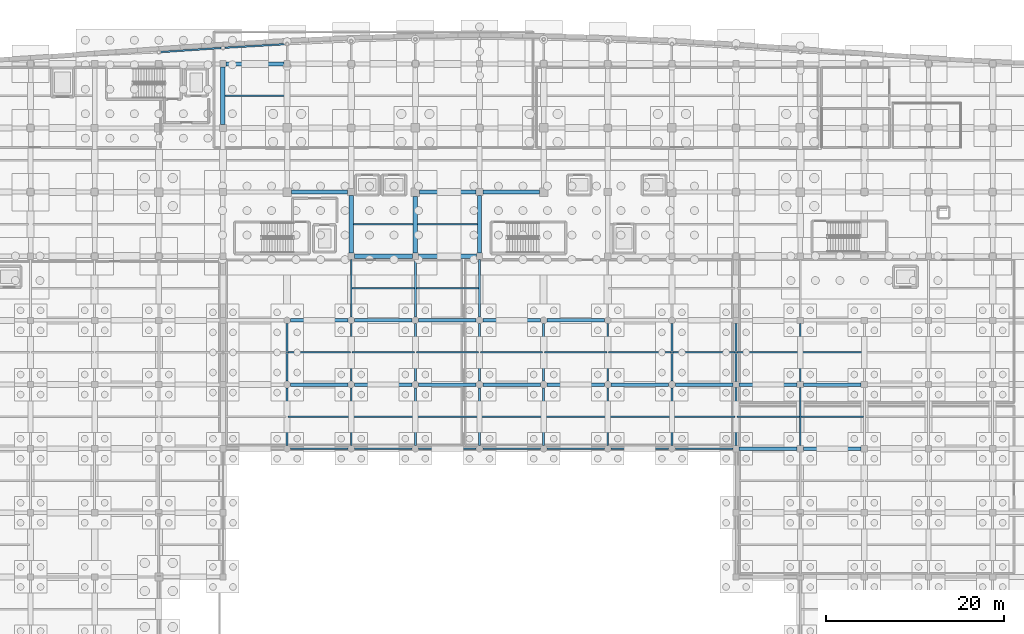
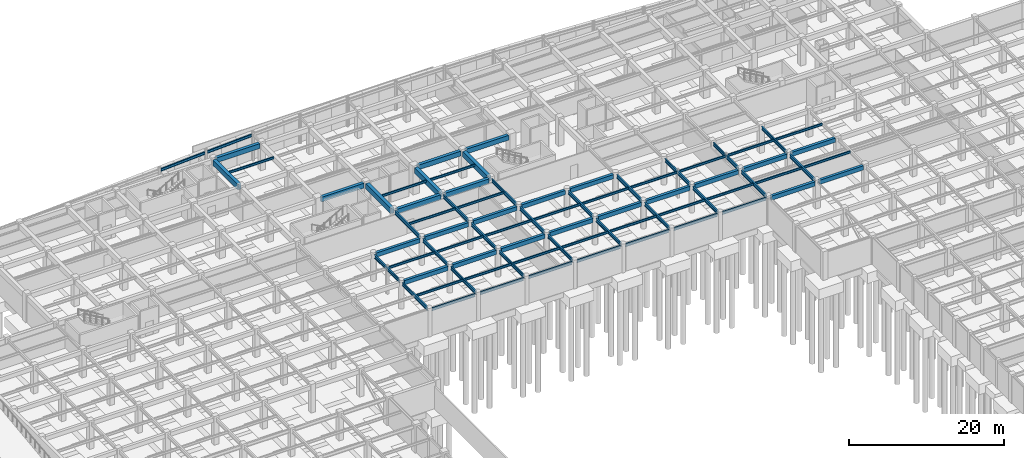
# One storey, part 27 of 48: 79 beams.
"""IFC4 building model written with IfcOpenShell, lengths in metres."""

from ifc_helpers import new_model, si_unit, direction, frame, origin, origin_2d, place, context, subcontext, project, spatial, rectangle, i_section, extrude, material, material_profile, profile_set, type_object, element, save


model = new_model("IFC4")

# Units and contexts
model_context = context("Model", 3, precision=1e-05, world=origin(), true_north=direction((0.0, 1.0)))
body_context = subcontext(model_context, "Body", "Model", "MODEL_VIEW")
ifc_project = project(units=[si_unit("LENGTHUNIT", "METRE"), si_unit("AREAUNIT", "SQUARE_METRE"), si_unit("VOLUMEUNIT", "CUBIC_METRE"), si_unit("PLANEANGLEUNIT", "RADIAN"), si_unit("MASSUNIT", "GRAM", prefix="KILO")], contexts=[model_context])

# Site, building, storey
site_placement = place(None, origin())
site = spatial("IfcSite", under=ifc_project, at=site_placement, CompositionType="ELEMENT")
building_placement = place(site_placement, origin())
building = spatial("IfcBuilding", under=site, at=building_placement, Name="Carrowvane Square Congress Hotel", CompositionType="ELEMENT")
storey_placement = place(building_placement, frame((0.0, 0.0, -4.5)))
storey = spatial("IfcBuildingStorey", under=building, at=storey_placement, Name="B01", CompositionType="ELEMENT", Elevation=-4.5)

# Beams
ifc_material_1 = material(Name="Concrete C35/45", Category="concrete")
ifc_material_profile_1 = material_profile(ifc_material_1, rectangle(XDim=0.39990234375, YDim=0.64990234375, at=origin_2d()), Name="RC 400x650")
ifc_profile_set_1 = profile_set([ifc_material_profile_1], Name="Concrete C35/45")
beam_type_1 = type_object("IfcBeamType", Name="BM-RC-400x650", PredefinedType="BEAM", material=ifc_profile_set_1)
for number, where, z_axis, x_axis, name in (
    (1, (127.14990234375, 70.199951171875, 3.875), (1.0, 0.0, 0.0), (0.0, 1.0, 0.0), "L00 girder K/17-18"),
    (2, (134.35009765625, 70.199951171875, 3.875), (1.0, 0.0, 0.0), (0.0, 1.0, 0.0), "L00 girder K/18-19"),
):
    element("IfcBeam", number, at=place(storey_placement, frame(where, z_axis=z_axis, x_axis=x_axis)), inside=storey, type_object=beam_type_1, Name=name, PredefinedType="BEAM", context=body_context, shape_type="SweptSolid", body=[
        extrude(rectangle(XDim=0.39990234375, YDim=0.64990234375, at=origin_2d()), origin(), (0.0, 0.0, 1.0), 6.5),
    ])
beam_1_placement = place(storey_placement, frame((76.77490234375, 77.39990234375, 3.875), z_axis=(1.0, 0.0, 0.0), x_axis=(0.0, 1.0, 0.0)))
element("IfcBeam", 3, at=beam_1_placement, inside=storey, type_object=beam_type_1, Name="L00 girder L/10-11", PredefinedType="BEAM", context=body_context, shape_type="SweptSolid", body=[
    extrude(rectangle(XDim=0.39990234375, YDim=0.64990234375, at=origin_2d()), origin(), (0.0, 0.0, 1.0), 6.4501953125),
])
for number, where, z_axis, x_axis, name in (
    (4, (83.97509765625, 77.39990234375, 3.875), (1.0, 0.0, 0.0), (0.0, 1.0, 0.0), "L00 girder L/11-12"),
    (5, (91.175048828125, 77.39990234375, 3.875), (1.0, 0.0, 0.0), (0.0, 1.0, 0.0), "L00 girder L/12-13"),
    (6, (98.375, 77.39990234375, 3.875), (1.0, 0.0, 0.0), (0.0, 1.0, 0.0), "L00 girder L/13-14"),
    (7, (105.574951171875, 77.39990234375, 3.875), (1.0, 0.0, 0.0), (0.0, 1.0, 0.0), "L00 girder L/14-15"),
):
    element("IfcBeam", number, at=place(storey_placement, frame(where, z_axis=z_axis, x_axis=x_axis)), inside=storey, type_object=beam_type_1, Name=name, PredefinedType="BEAM", context=body_context, shape_type="SweptSolid", body=[
        extrude(rectangle(XDim=0.39990234375, YDim=0.64990234375, at=origin_2d()), origin(), (0.0, 0.0, 1.0), 6.449951171875),
    ])
beam_2_placement = place(storey_placement, frame((112.77490234375, 77.39990234375, 3.875), z_axis=(1.0, 0.0, 0.0), x_axis=(0.0, 1.0, 0.0)))
element("IfcBeam", 8, at=beam_2_placement, inside=storey, type_object=beam_type_1, Name="L00 girder L/15-16", PredefinedType="BEAM", context=body_context, shape_type="SweptSolid", body=[
    extrude(rectangle(XDim=0.39990234375, YDim=0.64990234375, at=origin_2d()), origin(), (0.0, 0.0, 1.0), 6.4501953125),
])
beam_3_placement = place(storey_placement, frame((119.97509765625, 77.39990234375, 3.875), z_axis=(1.0, 0.0, 0.0), x_axis=(0.0, 1.0, 0.0)))
element("IfcBeam", 9, at=beam_3_placement, inside=storey, type_object=beam_type_1, Name="L00 girder L/16-17", PredefinedType="BEAM", context=body_context, shape_type="SweptSolid", body=[
    extrude(rectangle(XDim=0.39990234375, YDim=0.64990234375, at=origin_2d()), origin(), (0.0, 0.0, 1.0), 6.474853515625),
])
for number, where, z_axis, x_axis, name in (
    (10, (127.14990234375, 77.39990234375, 3.875), (1.0, 0.0, 0.0), (0.0, 1.0, 0.0), "L00 girder L/17-18"),
    (11, (134.35009765625, 77.39990234375, 3.875), (1.0, 0.0, 0.0), (0.0, 1.0, 0.0), "L00 girder L/18-19"),
):
    element("IfcBeam", number, at=place(storey_placement, frame(where, z_axis=z_axis, x_axis=x_axis)), inside=storey, type_object=beam_type_1, Name=name, PredefinedType="BEAM", context=body_context, shape_type="SweptSolid", body=[
        extrude(rectangle(XDim=0.39990234375, YDim=0.64990234375, at=origin_2d()), origin(), (0.0, 0.0, 1.0), 6.5),
    ])
beam_4_placement = place(storey_placement, frame((76.77490234375, 84.60009765625, 3.875), z_axis=(1.0, 0.0, 0.0), x_axis=(0.0, 1.0, 0.0)))
element("IfcBeam", 12, at=beam_4_placement, inside=storey, type_object=beam_type_1, Name="L00 girder M/10-11", PredefinedType="BEAM", context=body_context, shape_type="SweptSolid", body=[
    extrude(rectangle(XDim=0.39990234375, YDim=0.64990234375, at=origin_2d()), origin(), (0.0, 0.0, 1.0), 6.4501953125),
])
for number, where, z_axis, x_axis, name in (
    (13, (83.97509765625, 84.60009765625, 3.875), (1.0, 0.0, 0.0), (0.0, 1.0, 0.0), "L00 girder M/11-12"),
    (14, (91.175048828125, 84.60009765625, 3.875), (1.0, 0.0, 0.0), (0.0, 1.0, 0.0), "L00 girder M/12-13"),
    (15, (98.375, 84.60009765625, 3.875), (1.0, 0.0, 0.0), (0.0, 1.0, 0.0), "L00 girder M/13-14"),
    (16, (105.574951171875, 84.60009765625, 3.875), (1.0, 0.0, 0.0), (0.0, 1.0, 0.0), "L00 girder M/14-15"),
):
    element("IfcBeam", number, at=place(storey_placement, frame(where, z_axis=z_axis, x_axis=x_axis)), inside=storey, type_object=beam_type_1, Name=name, PredefinedType="BEAM", context=body_context, shape_type="SweptSolid", body=[
        extrude(rectangle(XDim=0.39990234375, YDim=0.64990234375, at=origin_2d()), origin(), (0.0, 0.0, 1.0), 6.449951171875),
    ])
ifc_material_2 = material(Name="Concrete C35/45", Category="concrete")
ifc_material_profile_2 = material_profile(ifc_material_2, rectangle(XDim=0.449951171875, YDim=0.75, at=origin_2d()), Name="RC 450x750")
ifc_profile_set_2 = profile_set([ifc_material_profile_2], Name="Concrete C35/45")
beam_type_2 = type_object("IfcBeamType", Name="BM-RC-450x750", PredefinedType="USERDEFINED", material=ifc_profile_set_2)
for number, where, z_axis, x_axis, name in (
    (17, (83.949951171875, 91.800048828125, 3.824951171875), (1.0, 0.0, 0.0), (0.0, 1.0, 0.0), "L00 girder N/11-12"),
    (18, (91.14990234375, 91.800048828125, 3.824951171875), (1.0, 0.0, 0.0), (0.0, 1.0, 0.0), "L00 girder N/12-13"),
):
    element("IfcBeam", number, at=place(storey_placement, frame(where, z_axis=z_axis, x_axis=x_axis)), inside=storey, type_object=beam_type_2, Name=name, ObjectType="GIRDER", PredefinedType="USERDEFINED", context=body_context, shape_type="SweptSolid", body=[
        extrude(rectangle(XDim=0.449951171875, YDim=0.75, at=origin_2d()), origin(), (0.0, 0.0, 1.0), 6.5),
    ])
beam_5_placement = place(storey_placement, frame((76.875, 99.0, 3.824951171875), z_axis=(1.0, 0.0, 0.0), x_axis=(0.0, 1.0, 0.0)))
element("IfcBeam", 19, at=beam_5_placement, inside=storey, type_object=beam_type_2, Name="L00 girder P/10-11", ObjectType="GIRDER", PredefinedType="USERDEFINED", context=body_context, shape_type="SweptSolid", body=[
    extrude(rectangle(XDim=0.449951171875, YDim=0.75, at=origin_2d()), origin(), (0.0, 0.0, 1.0), 6.324951171875),
])
for number, where, z_axis, x_axis, name in (
    (20, (91.27490234375, 99.0, 3.824951171875), (1.0, 0.0, 0.0), (0.0, 1.0, 0.0), "L00 girder P/12-13"),
    (21, (98.39990234375, 99.0, 3.824951171875), (1.0, 0.0, 0.0), (0.0, 1.0, 0.0), "L00 girder P/13-14"),
):
    element("IfcBeam", number, at=place(storey_placement, frame(where, z_axis=z_axis, x_axis=x_axis)), inside=storey, type_object=beam_type_2, Name=name, ObjectType="GIRDER", PredefinedType="USERDEFINED", context=body_context, shape_type="SweptSolid", body=[
        extrude(rectangle(XDim=0.449951171875, YDim=0.75, at=origin_2d()), origin(), (0.0, 0.0, 1.0), 6.3251953125),
    ])
beam_6_placement = place(storey_placement, frame((69.550048828125, 113.39990234375, 3.824951171875), z_axis=(1.0, 0.0, 0.0), x_axis=(0.0, 1.0, 0.0)))
element("IfcBeam", 22, at=beam_6_placement, inside=storey, type_object=beam_type_2, Name="L00 girder R/9-10", ObjectType="GIRDER", PredefinedType="USERDEFINED", context=body_context, shape_type="SweptSolid", body=[
    extrude(rectangle(XDim=0.449951171875, YDim=0.75, at=origin_2d()), origin(), (0.0, 0.0, 1.0), 6.5),
])
ifc_material_3 = material(Name="Concrete C35/45", Category="concrete")
ifc_material_profile_3 = material_profile(ifc_material_3, rectangle(XDim=0.5, YDim=0.85009765625, at=origin_2d()), Name="RC 500x850")
ifc_profile_set_3 = profile_set([ifc_material_profile_3], Name="Concrete C35/45")
beam_type_3 = type_object("IfcBeamType", Name="BM-RC-500x850", PredefinedType="USERDEFINED", material=ifc_profile_set_3)
beam_7_placement = place(storey_placement, frame((69.199951171875, 106.60009765625, 3.77490234375), z_axis=(0.0, 1.0, 0.0), x_axis=(-1.0, 0.0, 0.0)))
element("IfcBeam", 23, at=beam_7_placement, inside=storey, type_object=beam_type_3, Name="L00 girder 9/Q-R", ObjectType="GIRDER", PredefinedType="USERDEFINED", context=body_context, shape_type="SweptSolid", body=[
    extrude(rectangle(XDim=0.5, YDim=0.85009765625, at=origin_2d()), origin(), (0.0, 0.0, 1.0), 6.449951171875),
])
beam_8_placement = place(storey_placement, frame((83.60009765625, 92.14990234375, 3.77490234375), z_axis=(0.0, 1.0, 0.0), x_axis=(-1.0, 0.0, 0.0)))
element("IfcBeam", 24, at=beam_8_placement, inside=storey, type_object=beam_type_3, Name="L00 girder 11/N-P", ObjectType="GIRDER", PredefinedType="USERDEFINED", context=body_context, shape_type="SweptSolid", body=[
    extrude(rectangle(XDim=0.5, YDim=0.85009765625, at=origin_2d()), origin(), (0.0, 0.0, 1.0), 6.4501953125),
])
beam_9_placement = place(storey_placement, frame((90.800048828125, 92.14990234375, 3.77490234375), z_axis=(0.0, 1.0, 0.0), x_axis=(-1.0, 0.0, 0.0)))
element("IfcBeam", 25, at=beam_9_placement, inside=storey, type_object=beam_type_3, Name="L00 girder 12/N-P", ObjectType="GIRDER", PredefinedType="USERDEFINED", context=body_context, shape_type="SweptSolid", body=[
    extrude(rectangle(XDim=0.5, YDim=0.85009765625, at=origin_2d()), origin(), (0.0, 0.0, 1.0), 6.375),
])
beam_10_placement = place(storey_placement, frame((98.0, 92.14990234375, 3.77490234375), z_axis=(0.0, 1.0, 0.0), x_axis=(-1.0, 0.0, 0.0)))
element("IfcBeam", 26, at=beam_10_placement, inside=storey, type_object=beam_type_3, Name="L00 girder 13/N-P", ObjectType="GIRDER", PredefinedType="USERDEFINED", context=body_context, shape_type="SweptSolid", body=[
    extrude(rectangle(XDim=0.5, YDim=0.85009765625, at=origin_2d()), origin(), (0.0, 0.0, 1.0), 6.4501953125),
])
ifc_material_4 = material(Name="Steel S355", Category="steel")
ifc_material_profile_4 = material_profile(ifc_material_4, i_section(OverallWidth=0.172119140625, OverallDepth=0.35791015625, WebThickness=0.008056640625, FlangeThickness=0.012939453125, FilletRadius=0.01025390625, at=origin_2d()), Name="UKB 356x171x57")
ifc_profile_set_4 = profile_set([ifc_material_profile_4], Name="Steel S355")
beam_type_4 = type_object("IfcBeamType", Name="BM-ST-UKB356", PredefinedType="JOIST", material=ifc_profile_set_4)
beam_11_placement = place(storey_placement, frame((69.449951171875, 109.800048828125, 4.02099609375), z_axis=(1.0, 0.0, 0.0), x_axis=(0.0, 1.0, 0.0)))
element("IfcBeam", 27, at=beam_11_placement, inside=storey, type_object=beam_type_4, Name="L00 secondary joist 9-10", PredefinedType="JOIST", context=body_context, shape_type="SweptSolid", body=[
    extrude(i_section(OverallWidth=0.172119140625, OverallDepth=0.35791015625, WebThickness=0.008056640625, FlangeThickness=0.012939453125, FilletRadius=0.01025390625, at=origin_2d()), origin(), (0.0, 0.0, 1.0), 6.699951171875),
])
for number, where, z_axis, x_axis, name in (
    (28, (76.5048828125, 73.800048828125, 4.02099609375), (1.0, 0.0, 0.0), (0.0, 1.0, 0.0), "L00 secondary joist 10-11"),
    (29, (76.5048828125, 81.0, 4.02099609375), (1.0, 0.0, 0.0), (0.0, 1.0, 0.0), "L00 secondary joist 10-11"),
):
    element("IfcBeam", number, at=place(storey_placement, frame(where, z_axis=z_axis, x_axis=x_axis)), inside=storey, type_object=beam_type_4, Name=name, PredefinedType="JOIST", context=body_context, shape_type="SweptSolid", body=[
        extrude(i_section(OverallWidth=0.172119140625, OverallDepth=0.35791015625, WebThickness=0.008056640625, FlangeThickness=0.012939453125, FilletRadius=0.01025390625, at=origin_2d()), origin(), (0.0, 0.0, 1.0), 6.990234375),
    ])
for number, where, z_axis, x_axis, name in (
    (30, (83.705078125, 73.800048828125, 4.02099609375), (1.0, 0.0, 0.0), (0.0, 1.0, 0.0), "L00 secondary joist 11-12"),
    (31, (83.705078125, 81.0, 4.02099609375), (1.0, 0.0, 0.0), (0.0, 1.0, 0.0), "L00 secondary joist 11-12"),
    (32, (83.705078125, 88.199951171875, 4.02099609375), (1.0, 0.0, 0.0), (0.0, 1.0, 0.0), "L00 secondary joist 11-12"),
):
    element("IfcBeam", number, at=place(storey_placement, frame(where, z_axis=z_axis, x_axis=x_axis)), inside=storey, type_object=beam_type_4, Name=name, PredefinedType="JOIST", context=body_context, shape_type="SweptSolid", body=[
        extrude(i_section(OverallWidth=0.172119140625, OverallDepth=0.35791015625, WebThickness=0.008056640625, FlangeThickness=0.012939453125, FilletRadius=0.01025390625, at=origin_2d()), origin(), (0.0, 0.0, 1.0), 6.989990234375),
    ])
beam_12_placement = place(storey_placement, frame((83.85009765625, 95.39990234375, 4.02099609375), z_axis=(1.0, 0.0, 0.0), x_axis=(0.0, 1.0, 0.0)))
element("IfcBeam", 33, at=beam_12_placement, inside=storey, type_object=beam_type_4, Name="L00 secondary joist 11-12", PredefinedType="JOIST", context=body_context, shape_type="SweptSolid", body=[
    extrude(i_section(OverallWidth=0.172119140625, OverallDepth=0.35791015625, WebThickness=0.008056640625, FlangeThickness=0.012939453125, FilletRadius=0.01025390625, at=origin_2d()), origin(), (0.0, 0.0, 1.0), 6.699951171875),
])
for number, where, z_axis, x_axis, name in (
    (34, (90.905029296875, 73.800048828125, 4.02099609375), (1.0, 0.0, 0.0), (0.0, 1.0, 0.0), "L00 secondary joist 12-13"),
    (35, (90.905029296875, 81.0, 4.02099609375), (1.0, 0.0, 0.0), (0.0, 1.0, 0.0), "L00 secondary joist 12-13"),
    (36, (90.905029296875, 88.199951171875, 4.02099609375), (1.0, 0.0, 0.0), (0.0, 1.0, 0.0), "L00 secondary joist 12-13"),
):
    element("IfcBeam", number, at=place(storey_placement, frame(where, z_axis=z_axis, x_axis=x_axis)), inside=storey, type_object=beam_type_4, Name=name, PredefinedType="JOIST", context=body_context, shape_type="SweptSolid", body=[
        extrude(i_section(OverallWidth=0.172119140625, OverallDepth=0.35791015625, WebThickness=0.008056640625, FlangeThickness=0.012939453125, FilletRadius=0.01025390625, at=origin_2d()), origin(), (0.0, 0.0, 1.0), 6.989990234375),
    ])
beam_13_placement = place(storey_placement, frame((91.050048828125, 95.39990234375, 4.02099609375), z_axis=(1.0, 0.0, 0.0), x_axis=(0.0, 1.0, 0.0)))
element("IfcBeam", 37, at=beam_13_placement, inside=storey, type_object=beam_type_4, Name="L00 secondary joist 12-13", PredefinedType="JOIST", context=body_context, shape_type="SweptSolid", body=[
    extrude(i_section(OverallWidth=0.172119140625, OverallDepth=0.35791015625, WebThickness=0.008056640625, FlangeThickness=0.012939453125, FilletRadius=0.01025390625, at=origin_2d()), origin(), (0.0, 0.0, 1.0), 6.699951171875),
])
for number, where, z_axis, x_axis, name in (
    (38, (98.10498046875, 73.800048828125, 4.02099609375), (1.0, 0.0, 0.0), (0.0, 1.0, 0.0), "L00 secondary joist 13-14"),
    (39, (98.10498046875, 81.0, 4.02099609375), (1.0, 0.0, 0.0), (0.0, 1.0, 0.0), "L00 secondary joist 13-14"),
    (40, (105.304931640625, 73.800048828125, 4.02099609375), (1.0, 0.0, 0.0), (0.0, 1.0, 0.0), "L00 secondary joist 14-15"),
    (41, (105.304931640625, 81.0, 4.02099609375), (1.0, 0.0, 0.0), (0.0, 1.0, 0.0), "L00 secondary joist 14-15"),
):
    element("IfcBeam", number, at=place(storey_placement, frame(where, z_axis=z_axis, x_axis=x_axis)), inside=storey, type_object=beam_type_4, Name=name, PredefinedType="JOIST", context=body_context, shape_type="SweptSolid", body=[
        extrude(i_section(OverallWidth=0.172119140625, OverallDepth=0.35791015625, WebThickness=0.008056640625, FlangeThickness=0.012939453125, FilletRadius=0.01025390625, at=origin_2d()), origin(), (0.0, 0.0, 1.0), 6.989990234375),
    ])
for number, where, z_axis, x_axis, name in (
    (42, (112.5048828125, 73.800048828125, 4.02099609375), (1.0, 0.0, 0.0), (0.0, 1.0, 0.0), "L00 secondary joist 15-16"),
    (43, (112.5048828125, 81.0, 4.02099609375), (1.0, 0.0, 0.0), (0.0, 1.0, 0.0), "L00 secondary joist 15-16"),
):
    element("IfcBeam", number, at=place(storey_placement, frame(where, z_axis=z_axis, x_axis=x_axis)), inside=storey, type_object=beam_type_4, Name=name, PredefinedType="JOIST", context=body_context, shape_type="SweptSolid", body=[
        extrude(i_section(OverallWidth=0.172119140625, OverallDepth=0.35791015625, WebThickness=0.008056640625, FlangeThickness=0.012939453125, FilletRadius=0.01025390625, at=origin_2d()), origin(), (0.0, 0.0, 1.0), 6.990234375),
    ])
for number, where, z_axis, x_axis, name in (
    (44, (119.705078125, 73.800048828125, 4.02099609375), (1.0, 0.0, 0.0), (0.0, 1.0, 0.0), "L00 secondary joist 16-17"),
    (45, (119.705078125, 81.0, 4.02099609375), (1.0, 0.0, 0.0), (0.0, 1.0, 0.0), "L00 secondary joist 16-17"),
    (46, (126.905029296875, 73.800048828125, 4.02099609375), (1.0, 0.0, 0.0), (0.0, 1.0, 0.0), "L00 secondary joist 17-18"),
    (47, (126.905029296875, 81.0, 4.02099609375), (1.0, 0.0, 0.0), (0.0, 1.0, 0.0), "L00 secondary joist 17-18"),
    (48, (134.10498046875, 73.800048828125, 4.02099609375), (1.0, 0.0, 0.0), (0.0, 1.0, 0.0), "L00 secondary joist 18-19"),
    (49, (134.10498046875, 81.0, 4.02099609375), (1.0, 0.0, 0.0), (0.0, 1.0, 0.0), "L00 secondary joist 18-19"),
):
    element("IfcBeam", number, at=place(storey_placement, frame(where, z_axis=z_axis, x_axis=x_axis)), inside=storey, type_object=beam_type_4, Name=name, PredefinedType="JOIST", context=body_context, shape_type="SweptSolid", body=[
        extrude(i_section(OverallWidth=0.172119140625, OverallDepth=0.35791015625, WebThickness=0.008056640625, FlangeThickness=0.012939453125, FilletRadius=0.01025390625, at=origin_2d()), origin(), (0.0, 0.0, 1.0), 6.989990234375),
    ])
ifc_material_5 = material(Name="Steel S355", Category="steel")
ifc_material_profile_5 = material_profile(ifc_material_5, i_section(OverallWidth=0.1787109375, OverallDepth=0.409423828125, WebThickness=0.0087890625, FlangeThickness=0.014404296875, FilletRadius=0.01025390625, at=origin_2d()), Name="UKB 406x178x67")
ifc_profile_set_5 = profile_set([ifc_material_profile_5], Name="Steel S355")
beam_type_5 = type_object("IfcBeamType", Name="BM-ST-UKB406", PredefinedType="BEAM", material=ifc_profile_set_5)
beam_14_placement = place(storey_placement, frame((62.20263671875, 114.7197265625, 3.995361328125), z_axis=(0.997706912919, 0.067682463857, 0.0), x_axis=(-0.067682463857, 0.997706912919, 0.0)))
element("IfcBeam", 50, at=beam_14_placement, inside=storey, type_object=beam_type_5, Name="L00 curved north spandrel", PredefinedType="BEAM", context=body_context, shape_type="SweptSolid", body=[
    extrude(i_section(OverallWidth=0.1787109375, OverallDepth=0.409423828125, WebThickness=0.0087890625, FlangeThickness=0.014404296875, FilletRadius=0.01025390625, at=origin_2d()), origin(), (0.0, 0.0, 1.0), 6.810302734375),
])
beam_15_placement = place(storey_placement, frame((69.40283203125, 115.206298828125, 3.995361328125), z_axis=(0.998276598904, 0.058684172325, 0.0), x_axis=(-0.058684172325, 0.998276598904, 0.0)))
element("IfcBeam", 51, at=beam_15_placement, inside=storey, type_object=beam_type_5, Name="L00 curved north spandrel", PredefinedType="BEAM", context=body_context, shape_type="SweptSolid", body=[
    extrude(i_section(OverallWidth=0.1787109375, OverallDepth=0.409423828125, WebThickness=0.0087890625, FlangeThickness=0.014404296875, FilletRadius=0.01025390625, at=origin_2d()), origin(), (0.0, 0.0, 1.0), 6.80615234375),
])
ifc_material_6 = material(Name="Steel S355", Category="steel")
ifc_material_profile_6 = material_profile(ifc_material_6, i_section(OverallWidth=0.19140625, OverallDepth=0.4599609375, WebThickness=0.010009765625, FlangeThickness=0.01611328125, FilletRadius=0.01025390625, at=origin_2d()), Name="UKB 457x191x82")
ifc_profile_set_6 = profile_set([ifc_material_profile_6], Name="Steel S355")
beam_type_6 = type_object("IfcBeamType", Name="BM-ST-UKB457", PredefinedType="SPANDREL", material=ifc_profile_set_6)
beam_16_placement = place(storey_placement, frame((76.77490234375, 70.199951171875, 3.969970703125), z_axis=(1.0, 0.0, 0.0), x_axis=(0.0, 1.0, 0.0)))
element("IfcBeam", 52, at=beam_16_placement, inside=storey, type_object=beam_type_6, Name="L00 girder K/10-11", PredefinedType="SPANDREL", context=body_context, shape_type="SweptSolid", body=[
    extrude(i_section(OverallWidth=0.19140625, OverallDepth=0.4599609375, WebThickness=0.010009765625, FlangeThickness=0.01611328125, FilletRadius=0.01025390625, at=origin_2d()), origin(), (0.0, 0.0, 1.0), 6.4501953125),
])
for number, where, z_axis, x_axis, name in (
    (53, (83.97509765625, 70.199951171875, 3.969970703125), (1.0, 0.0, 0.0), (0.0, 1.0, 0.0), "L00 girder K/11-12"),
    (54, (91.175048828125, 70.199951171875, 3.969970703125), (1.0, 0.0, 0.0), (0.0, 1.0, 0.0), "L00 girder K/12-13"),
    (55, (98.375, 70.199951171875, 3.969970703125), (1.0, 0.0, 0.0), (0.0, 1.0, 0.0), "L00 girder K/13-14"),
    (56, (105.574951171875, 70.199951171875, 3.969970703125), (1.0, 0.0, 0.0), (0.0, 1.0, 0.0), "L00 girder K/14-15"),
):
    element("IfcBeam", number, at=place(storey_placement, frame(where, z_axis=z_axis, x_axis=x_axis)), inside=storey, type_object=beam_type_6, Name=name, PredefinedType="SPANDREL", context=body_context, shape_type="SweptSolid", body=[
        extrude(i_section(OverallWidth=0.19140625, OverallDepth=0.4599609375, WebThickness=0.010009765625, FlangeThickness=0.01611328125, FilletRadius=0.01025390625, at=origin_2d()), origin(), (0.0, 0.0, 1.0), 6.449951171875),
    ])
beam_17_placement = place(storey_placement, frame((112.77490234375, 70.199951171875, 3.969970703125), z_axis=(1.0, 0.0, 0.0), x_axis=(0.0, 1.0, 0.0)))
element("IfcBeam", 57, at=beam_17_placement, inside=storey, type_object=beam_type_6, Name="L00 girder K/15-16", PredefinedType="SPANDREL", context=body_context, shape_type="SweptSolid", body=[
    extrude(i_section(OverallWidth=0.19140625, OverallDepth=0.4599609375, WebThickness=0.010009765625, FlangeThickness=0.01611328125, FilletRadius=0.01025390625, at=origin_2d()), origin(), (0.0, 0.0, 1.0), 6.4501953125),
])
beam_18_placement = place(storey_placement, frame((119.97509765625, 70.199951171875, 3.969970703125), z_axis=(1.0, 0.0, 0.0), x_axis=(0.0, 1.0, 0.0)))
element("IfcBeam", 58, at=beam_18_placement, inside=storey, type_object=beam_type_6, Name="L00 girder K/16-17", PredefinedType="SPANDREL", context=body_context, shape_type="SweptSolid", body=[
    extrude(i_section(OverallWidth=0.19140625, OverallDepth=0.4599609375, WebThickness=0.010009765625, FlangeThickness=0.01611328125, FilletRadius=0.01025390625, at=origin_2d()), origin(), (0.0, 0.0, 1.0), 6.474853515625),
])
ifc_material_7 = material(Name="Steel S355", Category="steel")
ifc_material_profile_7 = material_profile(ifc_material_7, i_section(OverallWidth=0.2099609375, OverallDepth=0.53662109375, WebThickness=0.0107421875, FlangeThickness=0.017333984375, FilletRadius=0.0126953125, at=origin_2d()), Name="UKB 533x210x101")
ifc_profile_set_7 = profile_set([ifc_material_profile_7], Name="Steel S355")
beam_type_7 = type_object("IfcBeamType", Name="BM-ST-UKB533", PredefinedType="USERDEFINED", material=ifc_profile_set_7)
beam_19_placement = place(storey_placement, frame((76.39990234375, 70.574951171875, 3.931640625), z_axis=(0.0, 1.0, 0.0), x_axis=(-1.0, 0.0, 0.0)))
element("IfcBeam", 59, at=beam_19_placement, inside=storey, type_object=beam_type_7, Name="L00 girder 10/K-L", ObjectType="GIRDER", PredefinedType="USERDEFINED", context=body_context, shape_type="SweptSolid", body=[
    extrude(i_section(OverallWidth=0.2099609375, OverallDepth=0.53662109375, WebThickness=0.0107421875, FlangeThickness=0.017333984375, FilletRadius=0.0126953125, at=origin_2d()), origin(), (0.0, 0.0, 1.0), 6.449951171875),
])
beam_20_placement = place(storey_placement, frame((76.39990234375, 77.77490234375, 3.931640625), z_axis=(0.0, 1.0, 0.0), x_axis=(-1.0, 0.0, 0.0)))
element("IfcBeam", 60, at=beam_20_placement, inside=storey, type_object=beam_type_7, Name="L00 girder 10/L-M", ObjectType="GIRDER", PredefinedType="USERDEFINED", context=body_context, shape_type="SweptSolid", body=[
    extrude(i_section(OverallWidth=0.2099609375, OverallDepth=0.53662109375, WebThickness=0.0107421875, FlangeThickness=0.017333984375, FilletRadius=0.0126953125, at=origin_2d()), origin(), (0.0, 0.0, 1.0), 6.4501953125),
])
beam_21_placement = place(storey_placement, frame((83.60009765625, 70.574951171875, 3.931640625), z_axis=(0.0, 1.0, 0.0), x_axis=(-1.0, 0.0, 0.0)))
element("IfcBeam", 61, at=beam_21_placement, inside=storey, type_object=beam_type_7, Name="L00 girder 11/K-L", ObjectType="GIRDER", PredefinedType="USERDEFINED", context=body_context, shape_type="SweptSolid", body=[
    extrude(i_section(OverallWidth=0.2099609375, OverallDepth=0.53662109375, WebThickness=0.0107421875, FlangeThickness=0.017333984375, FilletRadius=0.0126953125, at=origin_2d()), origin(), (0.0, 0.0, 1.0), 6.449951171875),
])
beam_22_placement = place(storey_placement, frame((83.60009765625, 77.77490234375, 3.931640625), z_axis=(0.0, 1.0, 0.0), x_axis=(-1.0, 0.0, 0.0)))
element("IfcBeam", 62, at=beam_22_placement, inside=storey, type_object=beam_type_7, Name="L00 girder 11/L-M", ObjectType="GIRDER", PredefinedType="USERDEFINED", context=body_context, shape_type="SweptSolid", body=[
    extrude(i_section(OverallWidth=0.2099609375, OverallDepth=0.53662109375, WebThickness=0.0107421875, FlangeThickness=0.017333984375, FilletRadius=0.0126953125, at=origin_2d()), origin(), (0.0, 0.0, 1.0), 6.4501953125),
])
beam_23_placement = place(storey_placement, frame((83.60009765625, 84.97509765625, 3.931640625), z_axis=(0.0, 1.0, 0.0), x_axis=(-1.0, 0.0, 0.0)))
element("IfcBeam", 63, at=beam_23_placement, inside=storey, type_object=beam_type_7, Name="L00 girder 11/M-N", ObjectType="GIRDER", PredefinedType="USERDEFINED", context=body_context, shape_type="SweptSolid", body=[
    extrude(i_section(OverallWidth=0.2099609375, OverallDepth=0.53662109375, WebThickness=0.0107421875, FlangeThickness=0.017333984375, FilletRadius=0.0126953125, at=origin_2d()), origin(), (0.0, 0.0, 1.0), 6.474853515625),
])
beam_24_placement = place(storey_placement, frame((90.800048828125, 70.574951171875, 3.931640625), z_axis=(0.0, 1.0, 0.0), x_axis=(-1.0, 0.0, 0.0)))
element("IfcBeam", 64, at=beam_24_placement, inside=storey, type_object=beam_type_7, Name="L00 girder 12/K-L", ObjectType="GIRDER", PredefinedType="USERDEFINED", context=body_context, shape_type="SweptSolid", body=[
    extrude(i_section(OverallWidth=0.2099609375, OverallDepth=0.53662109375, WebThickness=0.0107421875, FlangeThickness=0.017333984375, FilletRadius=0.0126953125, at=origin_2d()), origin(), (0.0, 0.0, 1.0), 6.449951171875),
])
beam_25_placement = place(storey_placement, frame((90.800048828125, 77.77490234375, 3.931640625), z_axis=(0.0, 1.0, 0.0), x_axis=(-1.0, 0.0, 0.0)))
element("IfcBeam", 65, at=beam_25_placement, inside=storey, type_object=beam_type_7, Name="L00 girder 12/L-M", ObjectType="GIRDER", PredefinedType="USERDEFINED", context=body_context, shape_type="SweptSolid", body=[
    extrude(i_section(OverallWidth=0.2099609375, OverallDepth=0.53662109375, WebThickness=0.0107421875, FlangeThickness=0.017333984375, FilletRadius=0.0126953125, at=origin_2d()), origin(), (0.0, 0.0, 1.0), 6.4501953125),
])
beam_26_placement = place(storey_placement, frame((90.800048828125, 84.97509765625, 3.931640625), z_axis=(0.0, 1.0, 0.0), x_axis=(-1.0, 0.0, 0.0)))
element("IfcBeam", 66, at=beam_26_placement, inside=storey, type_object=beam_type_7, Name="L00 girder 12/M-N", ObjectType="GIRDER", PredefinedType="USERDEFINED", context=body_context, shape_type="SweptSolid", body=[
    extrude(i_section(OverallWidth=0.2099609375, OverallDepth=0.53662109375, WebThickness=0.0107421875, FlangeThickness=0.017333984375, FilletRadius=0.0126953125, at=origin_2d()), origin(), (0.0, 0.0, 1.0), 6.474853515625),
])
beam_27_placement = place(storey_placement, frame((98.0, 70.574951171875, 3.931640625), z_axis=(0.0, 1.0, 0.0), x_axis=(-1.0, 0.0, 0.0)))
element("IfcBeam", 67, at=beam_27_placement, inside=storey, type_object=beam_type_7, Name="L00 girder 13/K-L", ObjectType="GIRDER", PredefinedType="USERDEFINED", context=body_context, shape_type="SweptSolid", body=[
    extrude(i_section(OverallWidth=0.2099609375, OverallDepth=0.53662109375, WebThickness=0.0107421875, FlangeThickness=0.017333984375, FilletRadius=0.0126953125, at=origin_2d()), origin(), (0.0, 0.0, 1.0), 6.449951171875),
])
beam_28_placement = place(storey_placement, frame((98.0, 77.77490234375, 3.931640625), z_axis=(0.0, 1.0, 0.0), x_axis=(-1.0, 0.0, 0.0)))
element("IfcBeam", 68, at=beam_28_placement, inside=storey, type_object=beam_type_7, Name="L00 girder 13/L-M", ObjectType="GIRDER", PredefinedType="USERDEFINED", context=body_context, shape_type="SweptSolid", body=[
    extrude(i_section(OverallWidth=0.2099609375, OverallDepth=0.53662109375, WebThickness=0.0107421875, FlangeThickness=0.017333984375, FilletRadius=0.0126953125, at=origin_2d()), origin(), (0.0, 0.0, 1.0), 6.4501953125),
])
beam_29_placement = place(storey_placement, frame((98.0, 84.97509765625, 3.931640625), z_axis=(0.0, 1.0, 0.0), x_axis=(-1.0, 0.0, 0.0)))
element("IfcBeam", 69, at=beam_29_placement, inside=storey, type_object=beam_type_7, Name="L00 girder 13/M-N", ObjectType="GIRDER", PredefinedType="USERDEFINED", context=body_context, shape_type="SweptSolid", body=[
    extrude(i_section(OverallWidth=0.2099609375, OverallDepth=0.53662109375, WebThickness=0.0107421875, FlangeThickness=0.017333984375, FilletRadius=0.0126953125, at=origin_2d()), origin(), (0.0, 0.0, 1.0), 6.474853515625),
])
beam_30_placement = place(storey_placement, frame((105.199951171875, 70.574951171875, 3.931640625), z_axis=(0.0, 1.0, 0.0), x_axis=(-1.0, 0.0, 0.0)))
element("IfcBeam", 70, at=beam_30_placement, inside=storey, type_object=beam_type_7, Name="L00 girder 14/K-L", ObjectType="GIRDER", PredefinedType="USERDEFINED", context=body_context, shape_type="SweptSolid", body=[
    extrude(i_section(OverallWidth=0.2099609375, OverallDepth=0.53662109375, WebThickness=0.0107421875, FlangeThickness=0.017333984375, FilletRadius=0.0126953125, at=origin_2d()), origin(), (0.0, 0.0, 1.0), 6.449951171875),
])
beam_31_placement = place(storey_placement, frame((105.199951171875, 77.77490234375, 3.931640625), z_axis=(0.0, 1.0, 0.0), x_axis=(-1.0, 0.0, 0.0)))
element("IfcBeam", 71, at=beam_31_placement, inside=storey, type_object=beam_type_7, Name="L00 girder 14/L-M", ObjectType="GIRDER", PredefinedType="USERDEFINED", context=body_context, shape_type="SweptSolid", body=[
    extrude(i_section(OverallWidth=0.2099609375, OverallDepth=0.53662109375, WebThickness=0.0107421875, FlangeThickness=0.017333984375, FilletRadius=0.0126953125, at=origin_2d()), origin(), (0.0, 0.0, 1.0), 6.4501953125),
])
beam_32_placement = place(storey_placement, frame((112.39990234375, 70.574951171875, 3.931640625), z_axis=(0.0, 1.0, 0.0), x_axis=(-1.0, 0.0, 0.0)))
element("IfcBeam", 72, at=beam_32_placement, inside=storey, type_object=beam_type_7, Name="L00 girder 15/K-L", ObjectType="GIRDER", PredefinedType="USERDEFINED", context=body_context, shape_type="SweptSolid", body=[
    extrude(i_section(OverallWidth=0.2099609375, OverallDepth=0.53662109375, WebThickness=0.0107421875, FlangeThickness=0.017333984375, FilletRadius=0.0126953125, at=origin_2d()), origin(), (0.0, 0.0, 1.0), 6.449951171875),
])
beam_33_placement = place(storey_placement, frame((112.39990234375, 77.77490234375, 3.931640625), z_axis=(0.0, 1.0, 0.0), x_axis=(-1.0, 0.0, 0.0)))
element("IfcBeam", 73, at=beam_33_placement, inside=storey, type_object=beam_type_7, Name="L00 girder 15/L-M", ObjectType="GIRDER", PredefinedType="USERDEFINED", context=body_context, shape_type="SweptSolid", body=[
    extrude(i_section(OverallWidth=0.2099609375, OverallDepth=0.53662109375, WebThickness=0.0107421875, FlangeThickness=0.017333984375, FilletRadius=0.0126953125, at=origin_2d()), origin(), (0.0, 0.0, 1.0), 6.4501953125),
])
beam_34_placement = place(storey_placement, frame((119.60009765625, 70.574951171875, 3.931640625), z_axis=(0.0, 1.0, 0.0), x_axis=(-1.0, 0.0, 0.0)))
element("IfcBeam", 74, at=beam_34_placement, inside=storey, type_object=beam_type_7, Name="L00 girder 16/K-L", ObjectType="GIRDER", PredefinedType="USERDEFINED", context=body_context, shape_type="SweptSolid", body=[
    extrude(i_section(OverallWidth=0.2099609375, OverallDepth=0.53662109375, WebThickness=0.0107421875, FlangeThickness=0.017333984375, FilletRadius=0.0126953125, at=origin_2d()), origin(), (0.0, 0.0, 1.0), 6.449951171875),
])
beam_35_placement = place(storey_placement, frame((119.60009765625, 77.77490234375, 3.931640625), z_axis=(0.0, 1.0, 0.0), x_axis=(-1.0, 0.0, 0.0)))
element("IfcBeam", 75, at=beam_35_placement, inside=storey, type_object=beam_type_7, Name="L00 girder 16/L-M", ObjectType="GIRDER", PredefinedType="USERDEFINED", context=body_context, shape_type="SweptSolid", body=[
    extrude(i_section(OverallWidth=0.2099609375, OverallDepth=0.53662109375, WebThickness=0.0107421875, FlangeThickness=0.017333984375, FilletRadius=0.0126953125, at=origin_2d()), origin(), (0.0, 0.0, 1.0), 6.4501953125),
])
for number, where, z_axis, x_axis, name in (
    (76, (126.800048828125, 70.550048828125, 3.931640625), (0.0, 1.0, 0.0), (-1.0, 0.0, 0.0), "L00 girder 17/K-L"),
    (77, (126.800048828125, 77.75, 3.931640625), (0.0, 1.0, 0.0), (-1.0, 0.0, 0.0), "L00 girder 17/L-M"),
    (78, (134.0, 70.550048828125, 3.931640625), (0.0, 1.0, 0.0), (-1.0, 0.0, 0.0), "L00 girder 18/K-L"),
    (79, (134.0, 77.75, 3.931640625), (0.0, 1.0, 0.0), (-1.0, 0.0, 0.0), "L00 girder 18/L-M"),
):
    element("IfcBeam", number, at=place(storey_placement, frame(where, z_axis=z_axis, x_axis=x_axis)), inside=storey, type_object=beam_type_7, Name=name, ObjectType="GIRDER", PredefinedType="USERDEFINED", context=body_context, shape_type="SweptSolid", body=[
        extrude(i_section(OverallWidth=0.2099609375, OverallDepth=0.53662109375, WebThickness=0.0107421875, FlangeThickness=0.017333984375, FilletRadius=0.0126953125, at=origin_2d()), origin(), (0.0, 0.0, 1.0), 6.5),
    ])

save(model, "model.ifc")
